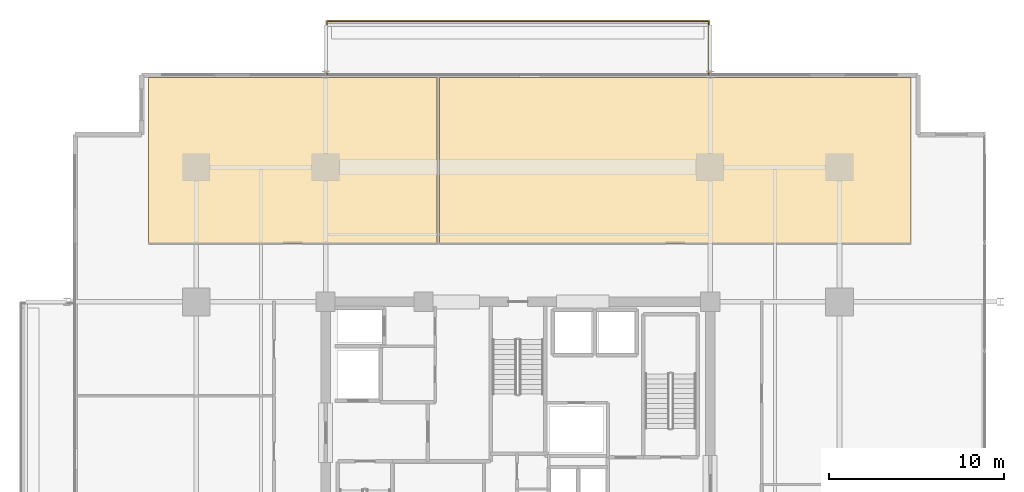
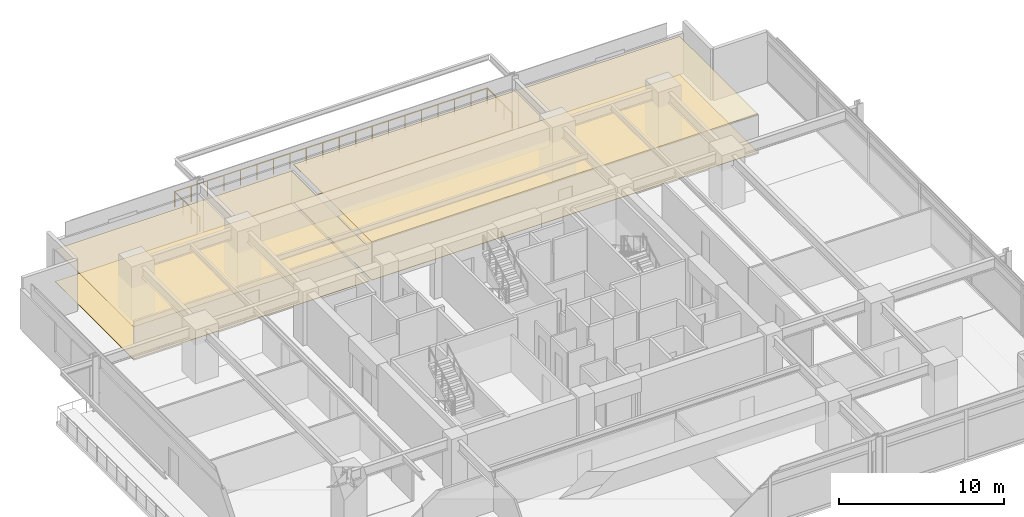
# One storey, part 20 of 20: 4 coverings, 1 railing.
"""IFC4 building model written with IfcOpenShell, lengths in metres."""

from ifc_helpers import new_model, si_unit, direction, frame, origin, origin_2d, place, context, subcontext, project, spatial, polyline, circle, outline, extrude, material, layer, layer_set, type_object, element, save


model = new_model("IFC4")

# Units and contexts
model_context = context("Model", 3, precision=1e-05, world=origin(), true_north=direction((0.0, 1.0)))
body_context = subcontext(model_context, "Body", "Model", "MODEL_VIEW")
ifc_project = project(units=[si_unit("LENGTHUNIT", "METRE"), si_unit("AREAUNIT", "SQUARE_METRE"), si_unit("VOLUMEUNIT", "CUBIC_METRE"), si_unit("PLANEANGLEUNIT", "RADIAN"), si_unit("MASSUNIT", "GRAM", prefix="KILO")], contexts=[model_context])

# Site, building, storey
site_placement = place(None, origin())
site = spatial("IfcSite", under=ifc_project, at=site_placement, CompositionType="ELEMENT")
building_placement = place(site_placement, origin())
building = spatial("IfcBuilding", under=site, at=building_placement, Name="Kovane Verandah Tower", CompositionType="ELEMENT")
storey_placement = place(building_placement, frame((0.0, 0.0, 164.39990234375)))
storey = spatial("IfcBuildingStorey", under=building, at=storey_placement, Name="L38", CompositionType="ELEMENT", Elevation=164.39990234375)

# Coverings
ifc_material_1 = material(Name="Perforated Acoustic Mineral-Fibre Ceiling Tile", Category="gypsum")
ifc_layer_1 = layer(ifc_material_1, 0.02490234375)
ifc_layer_set_1 = layer_set([ifc_layer_1], Name="Perforated Acoustic Mineral-Fibre Ceiling Tile")
covering_type_1 = type_object("IfcCoveringType", Name="CV-CEIL-25", PredefinedType="CEILING", material=ifc_layer_set_1)
covering_1_placement = place(storey_placement, frame((0.0, 0.0, 2.380126953125)))
element("IfcCovering", 1, at=covering_1_placement, inside=storey, type_object=covering_type_1, Name="L38 Focus Studio N1 Acoustic Ceiling", PredefinedType="CEILING", context=body_context, shape_type="SweptSolid", body=[
    extrude(outline(polyline([(18.866943359375, 39.85009765625), (35.376708984375, 39.85009765625), (35.376708984375, 49.322998046875), (18.866943359375, 49.322998046875), (18.866943359375, 39.85009765625)])), origin(), (0.0, 0.0, 1.0), 0.02490234375),
])
covering_2_placement = place(storey_placement, frame((0.0, 0.0, 2.8251953125)))
element("IfcCovering", 2, at=covering_2_placement, inside=storey, type_object=covering_type_1, Name="L38 Breakout Pantry N2 Acoustic Ceiling", PredefinedType="CEILING", context=body_context, shape_type="SweptSolid", body=[
    extrude(outline(polyline([(35.516845703125, 39.85009765625), (62.498046875, 39.85009765625), (62.498046875, 49.322998046875), (35.516845703125, 49.322998046875), (35.516845703125, 39.85009765625)])), origin(), (0.0, 0.0, 1.0), 0.02490234375),
])
ifc_material_2 = material(Name="Polished Terrazzo and Raised-Access Carpet Tile Finish", Category="concrete")
ifc_layer_2 = layer(ifc_material_2, 0.030029296875)
ifc_layer_set_2 = layer_set([ifc_layer_2], Name="Polished Terrazzo and Raised-Access Carpet Tile Finish")
covering_type_2 = type_object("IfcCoveringType", Name="CV-FLOR-30", PredefinedType="FLOORING", material=ifc_layer_set_2)
covering_3_placement = place(storey_placement, origin())
element("IfcCovering", 3, at=covering_3_placement, inside=storey, type_object=covering_type_2, Name="L38 Focus Studio N1 Floor Finish", PredefinedType="FLOORING", context=body_context, shape_type="SweptSolid", body=[
    extrude(outline(polyline([(18.866943359375, 39.85009765625), (35.376708984375, 39.85009765625), (35.376708984375, 49.322998046875), (18.866943359375, 49.322998046875), (18.866943359375, 39.85009765625)])), origin(), (0.0, 0.0, 1.0), 0.030029296875),
])
covering_4_placement = place(storey_placement, origin())
element("IfcCovering", 4, at=covering_4_placement, inside=storey, type_object=covering_type_2, Name="L38 Breakout Pantry N2 Floor Finish", PredefinedType="FLOORING", context=body_context, shape_type="SweptSolid", body=[
    extrude(outline(polyline([(35.516845703125, 39.85009765625), (62.498046875, 39.85009765625), (62.498046875, 49.322998046875), (35.516845703125, 49.322998046875), (35.516845703125, 39.85009765625)])), origin(), (0.0, 0.0, 1.0), 0.030029296875),
])

# Railing
ifc_material_3 = material(Name="Laminated Glass and Pale-Champagne Stainless Balustrade", Category="glass")
railing_type = type_object("IfcRailingType", Name="RL-BAL-1150", PredefinedType="BALUSTRADE", material=ifc_material_3)
railing_placement = place(storey_placement, frame((29.080078125, 49.523193359375, 0.0)))
element("IfcRailing", 5, at=railing_placement, inside=storey, type_object=railing_type, Name="L38 N Verandah Glass Balustrade", PredefinedType="BALUSTRADE", context=body_context, shape_type="SweptSolid", body=[
    extrude(circle(Radius=0.02392578125, at=origin_2d()), frame((0.0, 0.0, 1.1259765625), z_axis=(0.0, 1.0, 0.0), x_axis=(-1.0, 0.0, 0.0)), (0.0, 0.0, 1.0), 3.02001953125),
    extrude(circle(Radius=0.02392578125, at=origin_2d()), frame((0.0, 3.02001953125, 1.1259765625), z_axis=(1.0, 0.0, 0.0), x_axis=(0.0, 1.0, 0.0)), (0.0, 0.0, 1.0), 21.83984375),
    extrude(circle(Radius=0.02392578125, at=origin_2d()), frame((21.83984375, 3.02001953125, 1.1259765625), z_axis=(0.0, -1.0, 0.0), x_axis=(1.0, 0.0, 0.0)), (0.0, 0.0, 1.0), 3.02001953125),
    extrude(circle(Radius=0.02099609375, at=origin_2d()), origin(), (0.0, 0.0, 1.0), 1.101806640625),
    extrude(circle(Radius=0.02099609375, at=origin_2d()), frame((0.0, 1.006591796875, 0.0)), (0.0, 0.0, 1.0), 1.101806640625),
    extrude(circle(Radius=0.02099609375, at=origin_2d()), frame((0.0, 2.013427734375, 0.0)), (0.0, 0.0, 1.0), 1.101806640625),
    extrude(circle(Radius=0.02099609375, at=origin_2d()), frame((0.0, 3.02001953125, 0.0)), (0.0, 0.0, 1.0), 1.101806640625),
    extrude(circle(Radius=0.02099609375, at=origin_2d()), frame((1.1494140625, 3.02001953125, 0.0)), (0.0, 0.0, 1.0), 1.101806640625),
    extrude(circle(Radius=0.02099609375, at=origin_2d()), frame((2.298828125, 3.02001953125, 0.0)), (0.0, 0.0, 1.0), 1.101806640625),
    extrude(circle(Radius=0.02099609375, at=origin_2d()), frame((3.448486328125, 3.02001953125, 0.0)), (0.0, 0.0, 1.0), 1.101806640625),
    extrude(circle(Radius=0.02099609375, at=origin_2d()), frame((4.597900390625, 3.02001953125, 0.0)), (0.0, 0.0, 1.0), 1.101806640625),
    extrude(circle(Radius=0.02099609375, at=origin_2d()), frame((5.747314453125, 3.02001953125, 0.0)), (0.0, 0.0, 1.0), 1.101806640625),
    extrude(circle(Radius=0.02099609375, at=origin_2d()), frame((6.896728515625, 3.02001953125, 0.0)), (0.0, 0.0, 1.0), 1.101806640625),
    extrude(circle(Radius=0.02099609375, at=origin_2d()), frame((8.046142578125, 3.02001953125, 0.0)), (0.0, 0.0, 1.0), 1.101806640625),
    extrude(circle(Radius=0.02099609375, at=origin_2d()), frame((9.19580078125, 3.02001953125, 0.0)), (0.0, 0.0, 1.0), 1.101806640625),
    extrude(circle(Radius=0.02099609375, at=origin_2d()), frame((10.34521484375, 3.02001953125, 0.0)), (0.0, 0.0, 1.0), 1.101806640625),
    extrude(circle(Radius=0.02099609375, at=origin_2d()), frame((11.49462890625, 3.02001953125, 0.0)), (0.0, 0.0, 1.0), 1.101806640625),
    extrude(circle(Radius=0.02099609375, at=origin_2d()), frame((12.64404296875, 3.02001953125, 0.0)), (0.0, 0.0, 1.0), 1.101806640625),
    extrude(circle(Radius=0.02099609375, at=origin_2d()), frame((13.793701171875, 3.02001953125, 0.0)), (0.0, 0.0, 1.0), 1.101806640625),
    extrude(circle(Radius=0.02099609375, at=origin_2d()), frame((14.943115234375, 3.02001953125, 0.0)), (0.0, 0.0, 1.0), 1.101806640625),
    extrude(circle(Radius=0.02099609375, at=origin_2d()), frame((16.092529296875, 3.02001953125, 0.0)), (0.0, 0.0, 1.0), 1.101806640625),
    extrude(circle(Radius=0.02099609375, at=origin_2d()), frame((17.241943359375, 3.02001953125, 0.0)), (0.0, 0.0, 1.0), 1.101806640625),
    extrude(circle(Radius=0.02099609375, at=origin_2d()), frame((18.391357421875, 3.02001953125, 0.0)), (0.0, 0.0, 1.0), 1.101806640625),
    extrude(circle(Radius=0.02099609375, at=origin_2d()), frame((19.541015625, 3.02001953125, 0.0)), (0.0, 0.0, 1.0), 1.101806640625),
    extrude(circle(Radius=0.02099609375, at=origin_2d()), frame((20.6904296875, 3.02001953125, 0.0)), (0.0, 0.0, 1.0), 1.101806640625),
    extrude(circle(Radius=0.02099609375, at=origin_2d()), frame((21.83984375, 3.02001953125, 0.0)), (0.0, 0.0, 1.0), 1.101806640625),
    extrude(circle(Radius=0.02099609375, at=origin_2d()), frame((21.83984375, 2.013427734375, 0.0)), (0.0, 0.0, 1.0), 1.101806640625),
    extrude(circle(Radius=0.02099609375, at=origin_2d()), frame((21.83984375, 1.006591796875, 0.0)), (0.0, 0.0, 1.0), 1.101806640625),
    extrude(circle(Radius=0.02099609375, at=origin_2d()), frame((21.83984375, 0.0, 0.0)), (0.0, 0.0, 1.0), 1.101806640625),
])

save(model, "model.ifc")
